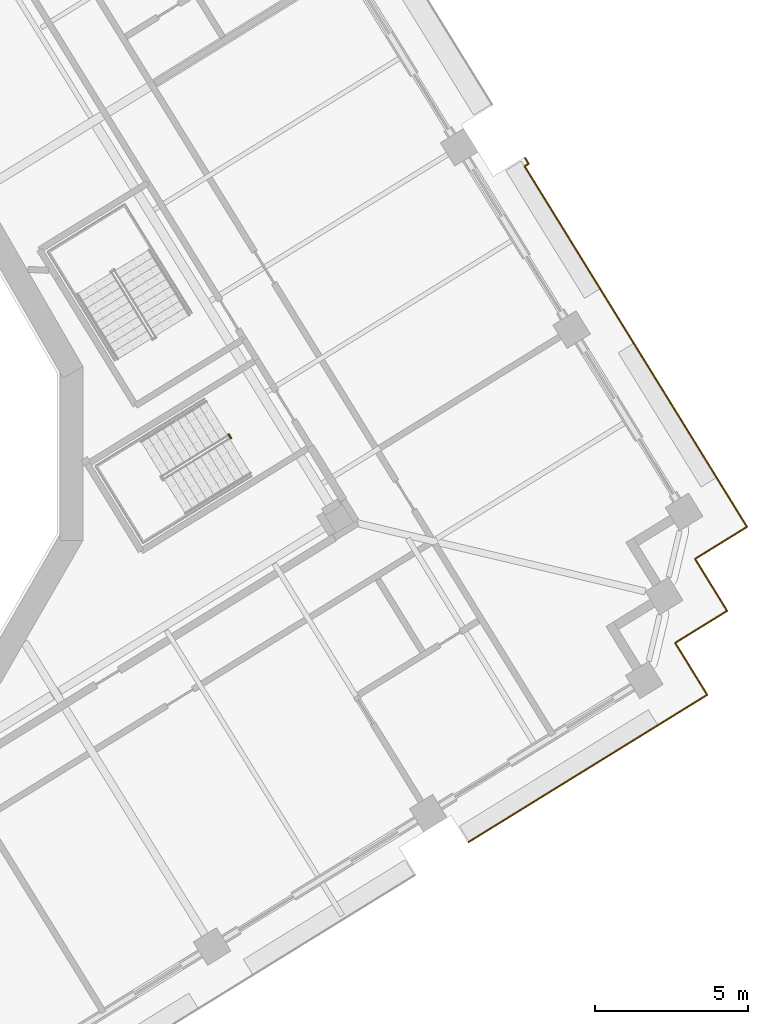
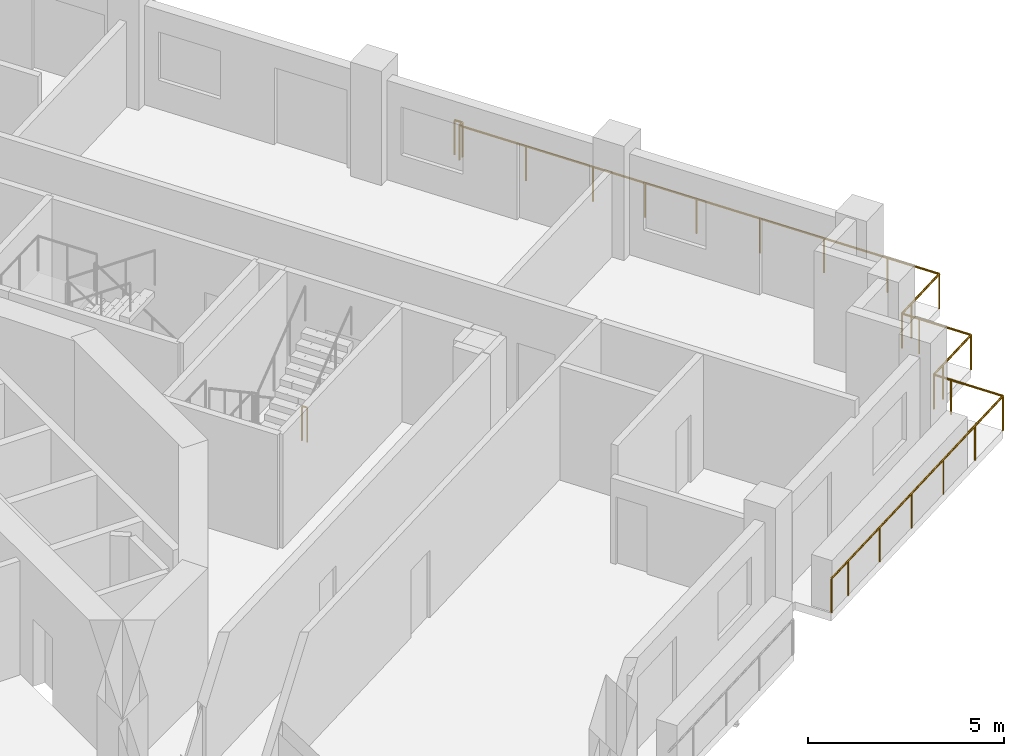
# One storey, part 16 of 20: 3 railings.
"""IFC4 building model written with IfcOpenShell, lengths in metres."""

from ifc_helpers import new_model, si_unit, direction, frame, origin, origin_2d, place, context, subcontext, project, spatial, circle, extrude, material, type_object, element, save


model = new_model("IFC4")

# Units and contexts
model_context = context("Model", 3, precision=1e-05, world=origin(), true_north=direction((0.0, 1.0)))
body_context = subcontext(model_context, "Body", "Model", "MODEL_VIEW")
ifc_project = project(units=[si_unit("LENGTHUNIT", "METRE"), si_unit("AREAUNIT", "SQUARE_METRE"), si_unit("VOLUMEUNIT", "CUBIC_METRE"), si_unit("PLANEANGLEUNIT", "RADIAN"), si_unit("MASSUNIT", "GRAM", prefix="KILO")], contexts=[model_context])

# Site, building, storey
site_placement = place(None, origin())
site = spatial("IfcSite", under=ifc_project, at=site_placement, CompositionType="ELEMENT")
building_placement = place(site_placement, origin())
building = spatial("IfcBuilding", under=site, at=building_placement, Name="Cantera Rosa Tower", CompositionType="ELEMENT")
storey_placement = place(building_placement, frame((0.0, 0.0, 151.39990234375)))
storey = spatial("IfcBuildingStorey", under=building, at=storey_placement, Name="L32", CompositionType="ELEMENT", Elevation=151.39990234375)

# Railings
ifc_material_1 = material(Name="Stainless steel and laminated glass", Category="steel")
railing_type_1 = type_object("IfcRailingType", Name="GUARD 1100", PredefinedType="BALUSTRADE", material=ifc_material_1)
railing_1_placement = place(storey_placement, frame((30.03076171875, -6.208984375, 0.0)))
element("IfcRailing", 1, at=railing_1_placement, inside=storey, type_object=railing_type_1, Name="GUARD L32-9", PredefinedType="BALUSTRADE", context=body_context, shape_type="SweptSolid", body=[
    extrude(circle(Radius=0.030029296875, at=origin_2d()), frame((0.0, 0.0, 1.070068359375), z_axis=(0.52494176933, -0.851138143202, 0.0), x_axis=(0.851138143202, 0.52494176933, 0.0)), (0.0, 0.0, 1.0), 0.5),
    extrude(circle(Radius=0.030029296875, at=origin_2d()), frame((0.262451171875, -0.425537109375, 1.070068359375), z_axis=(0.524869051004, -0.85118298814, 0.0), x_axis=(0.85118298814, 0.524869051004, 0.0)), (0.0, 0.0, 1.0), 1.5),
    extrude(circle(Radius=0.030029296875, at=origin_2d()), frame((1.0498046875, -1.702392578125, 1.070068359375), z_axis=(-0.851138143202, -0.52494176933, 0.0), x_axis=(0.52494176933, -0.851138143202, 0.0)), (0.0, 0.0, 1.0), 1.5),
    extrude(circle(Radius=0.030029296875, at=origin_2d()), frame((-0.226806640625, -2.48974609375, 1.070068359375), z_axis=(-0.851120753703, -0.524969963537, 0.0), x_axis=(0.524969963537, -0.851120753703, 0.0)), (0.0, 0.0, 1.0), 6.820068359375),
    extrude(circle(Radius=0.030029296875, at=origin_2d()), frame((-6.031494140625, -6.070068359375, 1.070068359375), z_axis=(-0.851089370259, -0.525020841331, 0.0), x_axis=(0.525020841331, -0.851089370259, 0.0)), (0.0, 0.0, 1.0), 0.8701171875),
    extrude(circle(Radius=0.02490234375, at=origin_2d()), origin(), (0.0, 0.0, 1.0), 1.0400390625),
    extrude(circle(Radius=0.02490234375, at=origin_2d()), frame((0.262451171875, -0.425537109375, 0.0)), (0.0, 0.0, 1.0), 1.0400390625),
    extrude(circle(Radius=0.02490234375, at=origin_2d()), frame((1.0498046875, -1.702392578125, 0.0)), (0.0, 0.0, 1.0), 1.0400390625),
    extrude(circle(Radius=0.02490234375, at=origin_2d()), frame((-0.226806640625, -2.48974609375, 0.0)), (0.0, 0.0, 1.0), 1.0400390625),
    extrude(circle(Radius=0.02490234375, at=origin_2d()), frame((-1.677978515625, -3.384765625, 0.0)), (0.0, 0.0, 1.0), 1.0400390625),
    extrude(circle(Radius=0.02490234375, at=origin_2d()), frame((-3.129150390625, -4.27978515625, 0.0)), (0.0, 0.0, 1.0), 1.0400390625),
    extrude(circle(Radius=0.02490234375, at=origin_2d()), frame((-4.580322265625, -5.175048828125, 0.0)), (0.0, 0.0, 1.0), 1.0400390625),
    extrude(circle(Radius=0.02490234375, at=origin_2d()), frame((-6.031494140625, -6.070068359375, 0.0)), (0.0, 0.0, 1.0), 1.0400390625),
    extrude(circle(Radius=0.02490234375, at=origin_2d()), frame((-6.77197265625, -6.52685546875, 0.0)), (0.0, 0.0, 1.0), 1.0400390625),
])
railing_2_placement = place(storey_placement, frame((25.111328125, 9.684814453125, 0.0)))
element("IfcRailing", 2, at=railing_2_placement, inside=storey, type_object=railing_type_1, Name="GUARD L32-10", PredefinedType="BALUSTRADE", context=body_context, shape_type="SweptSolid", body=[
    extrude(circle(Radius=0.030029296875, at=origin_2d()), frame((0.0, 0.0, 1.070068359375), z_axis=(0.524277608227, -0.851547408846, 0.0), x_axis=(0.851547408846, 0.524277608227, 0.0)), (0.0, 0.0, 1.0), 0.226806640625),
    extrude(circle(Radius=0.030029296875, at=origin_2d()), frame((0.118896484375, -0.193115234375, 1.070068359375), z_axis=(-0.850961909884, -0.525227405917, 0.0), x_axis=(0.525227405917, -0.850961909884, 0.0)), (0.0, 0.0, 1.0), 0.15673828125),
    extrude(circle(Radius=0.030029296875, at=origin_2d()), frame((-0.014404296875, -0.275390625, 1.070068359375), z_axis=(0.524968061191, -0.851121927064, 0.0), x_axis=(0.851121927064, 0.524968061191, 0.0)), (0.0, 0.0, 1.0), 3.86328125),
    extrude(circle(Radius=0.030029296875, at=origin_2d()), frame((2.013671875, -3.5634765625, 1.070068359375), z_axis=(0.524964362564, -0.851124208349, 0.0), x_axis=(0.851124208349, 0.524964362564, 0.0)), (0.0, 0.0, 1.0), 3.0),
    extrude(circle(Radius=0.030029296875, at=origin_2d()), frame((3.588623046875, -6.116943359375, 1.070068359375), z_axis=(0.524968277683, -0.851121793533, 0.0), x_axis=(0.851121793533, 0.524968277683, 0.0)), (0.0, 0.0, 1.0), 5.519775390625),
    extrude(circle(Radius=0.030029296875, at=origin_2d()), frame((6.486328125, -10.81494140625, 1.070068359375), z_axis=(0.524986950369, -0.851110276017, 0.0), x_axis=(0.851110276017, 0.524986950369, 0.0)), (0.0, 0.0, 1.0), 1.500244140625),
    extrude(circle(Radius=0.030029296875, at=origin_2d()), frame((7.27392578125, -12.091796875, 1.070068359375), z_axis=(-0.85118298814, -0.524869051004, 0.0), x_axis=(0.524869051004, -0.85118298814, 0.0)), (0.0, 0.0, 1.0), 1.5),
    extrude(circle(Radius=0.030029296875, at=origin_2d()), frame((5.9970703125, -12.879150390625, 1.070068359375), z_axis=(-0.851138143202, -0.52494176933, 0.0), x_axis=(0.52494176933, -0.851138143202, 0.0)), (0.0, 0.0, 1.0), 0.5),
    extrude(circle(Radius=0.030029296875, at=origin_2d()), frame((5.571533203125, -13.1416015625, 1.070068359375), z_axis=(0.52494176933, -0.851138143202, 0.0), x_axis=(0.851138143202, 0.52494176933, 0.0)), (0.0, 0.0, 1.0), 0.5),
    extrude(circle(Radius=0.030029296875, at=origin_2d()), frame((5.833984375, -13.567138671875, 1.070068359375), z_axis=(0.524986950369, -0.851110276017, 0.0), x_axis=(0.851110276017, 0.524986950369, 0.0)), (0.0, 0.0, 1.0), 1.500244140625),
    extrude(circle(Radius=0.030029296875, at=origin_2d()), frame((6.62158203125, -14.843994140625, 1.070068359375), z_axis=(-0.851138143202, -0.52494176933, 0.0), x_axis=(0.52494176933, -0.851138143202, 0.0)), (0.0, 0.0, 1.0), 1.5),
    extrude(circle(Radius=0.030029296875, at=origin_2d()), frame((5.344970703125, -15.63134765625, 1.070068359375), z_axis=(-0.851138143202, -0.52494176933, 0.0), x_axis=(0.52494176933, -0.851138143202, 0.0)), (0.0, 0.0, 1.0), 0.5),
    extrude(circle(Radius=0.02490234375, at=origin_2d()), origin(), (0.0, 0.0, 1.0), 1.0400390625),
    extrude(circle(Radius=0.02490234375, at=origin_2d()), frame((0.118896484375, -0.193115234375, 0.0)), (0.0, 0.0, 1.0), 1.0400390625),
    extrude(circle(Radius=0.02490234375, at=origin_2d()), frame((-0.014404296875, -0.275390625, 0.0)), (0.0, 0.0, 1.0), 1.0400390625),
    extrude(circle(Radius=0.02490234375, at=origin_2d()), frame((0.99951171875, -1.91943359375, 0.0)), (0.0, 0.0, 1.0), 1.0400390625),
    extrude(circle(Radius=0.02490234375, at=origin_2d()), frame((2.013671875, -3.5634765625, 0.0)), (0.0, 0.0, 1.0), 1.0400390625),
    extrude(circle(Radius=0.02490234375, at=origin_2d()), frame((2.80126953125, -4.84033203125, 0.0)), (0.0, 0.0, 1.0), 1.0400390625),
    extrude(circle(Radius=0.02490234375, at=origin_2d()), frame((3.588623046875, -6.116943359375, 0.0)), (0.0, 0.0, 1.0), 1.0400390625),
    extrude(circle(Radius=0.02490234375, at=origin_2d()), frame((4.554443359375, -7.682861328125, 0.0)), (0.0, 0.0, 1.0), 1.0400390625),
    extrude(circle(Radius=0.02490234375, at=origin_2d()), frame((5.5205078125, -9.2490234375, 0.0)), (0.0, 0.0, 1.0), 1.0400390625),
    extrude(circle(Radius=0.02490234375, at=origin_2d()), frame((6.486328125, -10.81494140625, 0.0)), (0.0, 0.0, 1.0), 1.0400390625),
    extrude(circle(Radius=0.02490234375, at=origin_2d()), frame((7.27392578125, -12.091796875, 0.0)), (0.0, 0.0, 1.0), 1.0400390625),
    extrude(circle(Radius=0.02490234375, at=origin_2d()), frame((5.9970703125, -12.879150390625, 0.0)), (0.0, 0.0, 1.0), 1.0400390625),
    extrude(circle(Radius=0.02490234375, at=origin_2d()), frame((5.571533203125, -13.1416015625, 0.0)), (0.0, 0.0, 1.0), 1.0400390625),
    extrude(circle(Radius=0.02490234375, at=origin_2d()), frame((5.833984375, -13.567138671875, 0.0)), (0.0, 0.0, 1.0), 1.0400390625),
    extrude(circle(Radius=0.02490234375, at=origin_2d()), frame((6.62158203125, -14.843994140625, 0.0)), (0.0, 0.0, 1.0), 1.0400390625),
    extrude(circle(Radius=0.02490234375, at=origin_2d()), frame((5.344970703125, -15.63134765625, 0.0)), (0.0, 0.0, 1.0), 1.0400390625),
    extrude(circle(Radius=0.02490234375, at=origin_2d()), frame((4.91943359375, -15.893798828125, 0.0)), (0.0, 0.0, 1.0), 1.0400390625),
])
ifc_material_2 = material(Name="Steel S355J2 (EN 10025-2)", Category="steel")
railing_type_2 = type_object("IfcRailingType", Name="STAIR GUARD 1100", PredefinedType="GUARDRAIL", material=ifc_material_2)
railing_3_placement = place(storey_placement, frame((15.394775390625, 0.625, 0.0)))
element("IfcRailing", 3, at=railing_3_placement, inside=storey, type_object=railing_type_2, Name="L32 ST-34 stair guard 3", PredefinedType="GUARDRAIL", context=body_context, shape_type="SweptSolid", body=[
    extrude(circle(Radius=0.02392578125, at=origin_2d()), frame((0.0, 0.0, 1.076171875), z_axis=(0.524279100842, -0.851546489876, 0.0), x_axis=(0.851546489876, 0.524279100842, 0.0)), (0.0, 0.0, 1.0), 0.14990234375),
    extrude(circle(Radius=0.02099609375, at=origin_2d()), origin(), (0.0, 0.0, 1.0), 1.052001953125),
    extrude(circle(Radius=0.02099609375, at=origin_2d()), frame((0.07861328125, -0.127685546875, 0.0)), (0.0, 0.0, 1.0), 1.052001953125),
])

save(model, "model.ifc")
